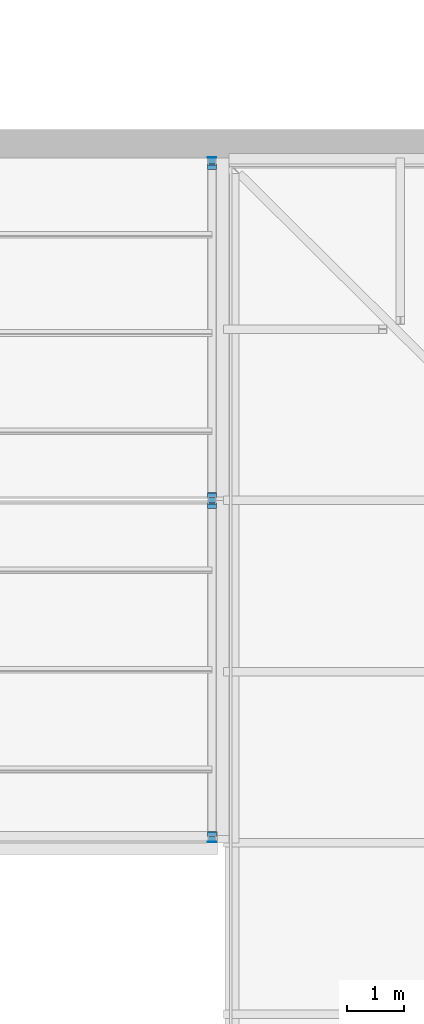
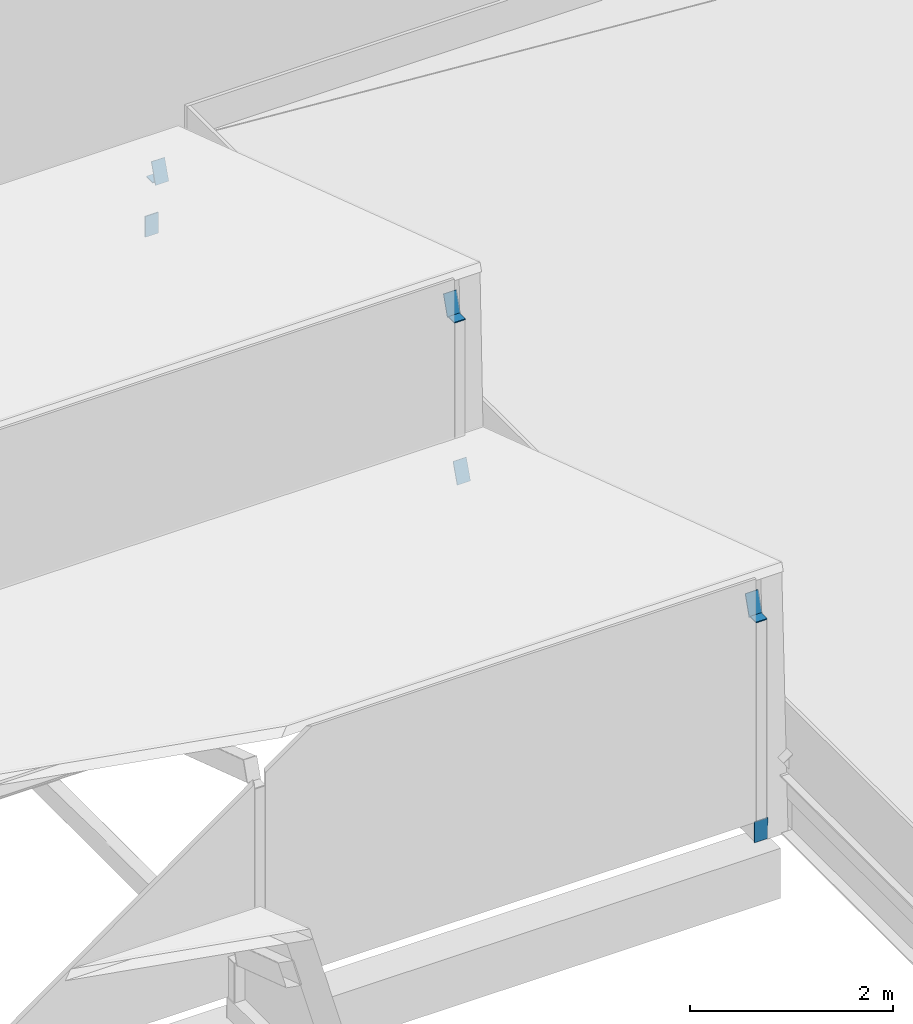
# One storey, part 89 of 118: 9 discrete accessories.
"""IFC4 building model written with IfcOpenShell, lengths in metres."""

from ifc_helpers import new_model, si_unit, direction, frame, origin, origin_2d, place, context, subcontext, project, spatial, rectangle, extrude, material, material_profile, profile_set, type_object, element, save


model = new_model("IFC4")

# Units and contexts
model_context = context("Model", 3, precision=1e-05, world=origin(), true_north=direction((0.0, 1.0)))
body_context = subcontext(model_context, "Body", "Model", "MODEL_VIEW")
ifc_project = project(units=[si_unit("LENGTHUNIT", "METRE"), si_unit("AREAUNIT", "SQUARE_METRE"), si_unit("VOLUMEUNIT", "CUBIC_METRE"), si_unit("PLANEANGLEUNIT", "RADIAN"), si_unit("MASSUNIT", "GRAM", prefix="KILO")], contexts=[model_context])

# Site, building, storey
site_placement = place(None, origin())
site = spatial("IfcSite", under=ifc_project, at=site_placement, CompositionType="ELEMENT")
building_placement = place(site_placement, origin())
building = spatial("IfcBuilding", under=site, at=building_placement, Name="Saffron Lane Theatres", CompositionType="ELEMENT")
storey_placement = place(building_placement, frame((0.0, 0.0, 16.5)))
storey = spatial("IfcBuildingStorey", under=building, at=storey_placement, Name="L03", CompositionType="ELEMENT", Elevation=16.5)

# Discrete accessories
ifc_material_1 = material(Name="Steel Grade 350", Category="steel")
ifc_material_profile_1 = material_profile(ifc_material_1, rectangle(XDim=0.125, YDim=0.125, at=origin_2d()))
ifc_profile_set_1 = profile_set([ifc_material_profile_1], Name="Steel Grade 350")
discrete_accessory_type_1 = type_object("IfcDiscreteAccessoryType", Name="ST-STEEL END CAP 125x125x6 SHS", PredefinedType="ANCHORPLATE", material=ifc_profile_set_1)
for number, where, z_axis, x_axis, name in (
    (1, (35.699951171875, 18.0625, 2.638671875), (0.0, 0.0, 1.0), (1.0, 0.0, 0.0), "EC250"),
    (2, (35.699951171875, 24.0, 2.638671875), (0.0, 0.0, 1.0), (1.0, 0.0, 0.0), "EC253"),
    (3, (35.699951171875, 29.9375, 0.720703125), (0.0, 0.0, 1.0), (1.0, 0.0, 0.0), "EC254"),
):
    element("IfcDiscreteAccessory", number, at=place(storey_placement, frame(where, z_axis=z_axis, x_axis=x_axis)), inside=storey, type_object=discrete_accessory_type_1, Name=name, PredefinedType="ANCHORPLATE", context=body_context, shape_type="SweptSolid", body=[
        extrude(rectangle(XDim=0.125, YDim=0.125, at=origin_2d()), origin(), (0.0, 0.0, 1.0), 0.011962890625),
    ])
ifc_material_2 = material(Name="Steel Grade 350", Category="steel")
ifc_material_profile_2 = material_profile(ifc_material_2, rectangle(XDim=0.14990234375, YDim=0.25, at=origin_2d()))
ifc_profile_set_2 = profile_set([ifc_material_profile_2], Name="Steel Grade 350")
discrete_accessory_type_2 = type_object("IfcDiscreteAccessoryType", Name="ST-STEEL END CAP 250x150x9 RHS", PredefinedType="ANCHORPLATE", material=ifc_profile_set_2)
for number, where, z_axis, x_axis, name in (
    (4, (35.699951171875, 18.008056640625, 0.125), (0.0, 1.0, 0.0), (-1.0, 0.0, 0.0), "EC248"),
    (5, (35.699951171875, 30.0, 0.125), (0.0, 1.0, 0.0), (-1.0, 0.0, 0.0), "EC249"),
):
    element("IfcDiscreteAccessory", number, at=place(storey_placement, frame(where, z_axis=z_axis, x_axis=x_axis)), inside=storey, type_object=discrete_accessory_type_2, Name=name, PredefinedType="ANCHORPLATE", context=body_context, shape_type="SweptSolid", body=[
        extrude(rectangle(XDim=0.14990234375, YDim=0.25, at=origin_2d()), origin(), (0.0, 0.0, 1.0), 0.011962890625),
    ])
discrete_accessory_1_placement = place(storey_placement, frame((35.699951171875, 18.15283203125, 2.76123046875), z_axis=(0.0, 0.950729839481, -0.310020599831), x_axis=(-1.0, 0.0, 0.0)))
element("IfcDiscreteAccessory", 6, at=discrete_accessory_1_placement, inside=storey, type_object=discrete_accessory_type_2, Name="EC251", PredefinedType="ANCHORPLATE", context=body_context, shape_type="SweptSolid", body=[
    extrude(rectangle(XDim=0.14990234375, YDim=0.25, at=origin_2d()), origin(), (0.0, 0.0, 1.0), 0.01171875),
])
discrete_accessory_2_placement = place(storey_placement, frame((35.699951171875, 23.8984375, 0.865234375), z_axis=(0.0, 0.944496796706, -0.328520624941), x_axis=(-1.0, 0.0, 0.0)))
element("IfcDiscreteAccessory", 7, at=discrete_accessory_2_placement, inside=storey, type_object=discrete_accessory_type_2, Name="EC252", PredefinedType="ANCHORPLATE", context=body_context, shape_type="SweptSolid", body=[
    extrude(rectangle(XDim=0.14990234375, YDim=0.25, at=origin_2d()), origin(), (0.0, 0.0, 1.0), 0.011962890625),
])
discrete_accessory_3_placement = place(storey_placement, frame((35.699951171875, 24.09033203125, 2.76123046875), z_axis=(0.0, 0.950729839481, -0.310020599831), x_axis=(-1.0, 0.0, 0.0)))
element("IfcDiscreteAccessory", 8, at=discrete_accessory_3_placement, inside=storey, type_object=discrete_accessory_type_2, Name="EC255", PredefinedType="ANCHORPLATE", context=body_context, shape_type="SweptSolid", body=[
    extrude(rectangle(XDim=0.14990234375, YDim=0.25, at=origin_2d()), origin(), (0.0, 0.0, 1.0), 0.01171875),
])
discrete_accessory_4_placement = place(storey_placement, frame((35.699951171875, 29.8359375, 0.865234375), z_axis=(0.0, 0.944496796706, -0.328520624941), x_axis=(-1.0, 0.0, 0.0)))
element("IfcDiscreteAccessory", 9, at=discrete_accessory_4_placement, inside=storey, type_object=discrete_accessory_type_2, Name="EC256", PredefinedType="ANCHORPLATE", context=body_context, shape_type="SweptSolid", body=[
    extrude(rectangle(XDim=0.14990234375, YDim=0.25, at=origin_2d()), origin(), (0.0, 0.0, 1.0), 0.011962890625),
])

save(model, "model.ifc")
